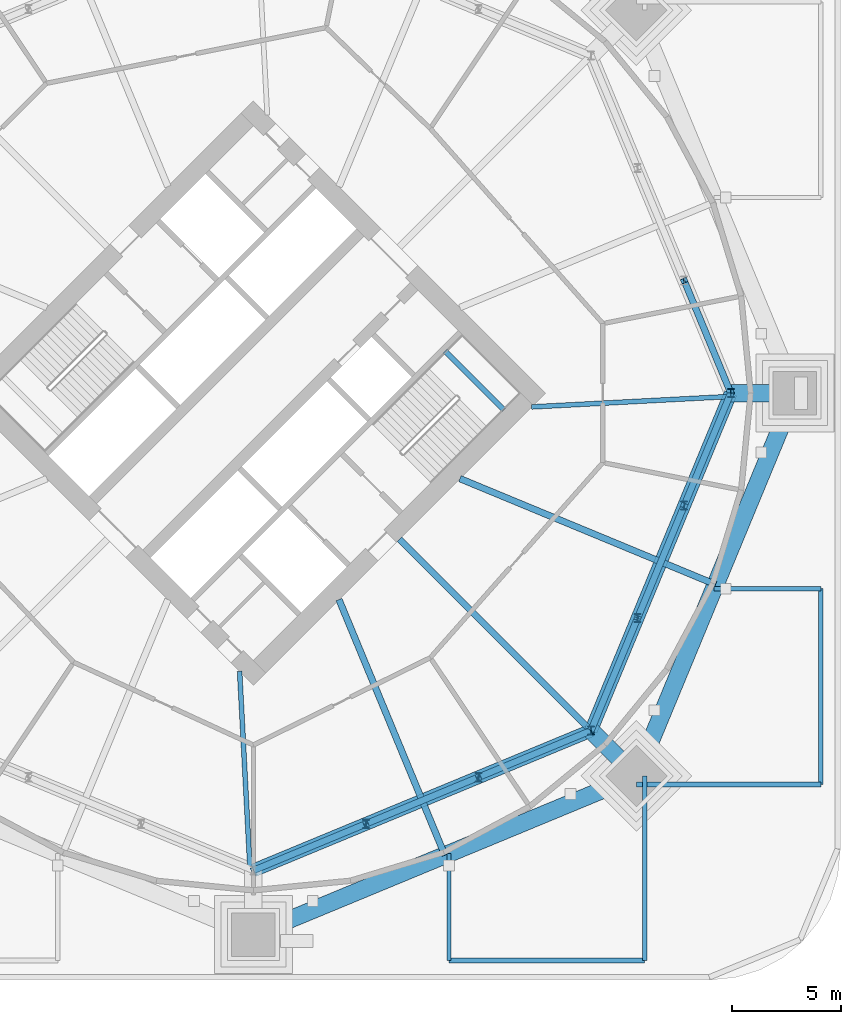
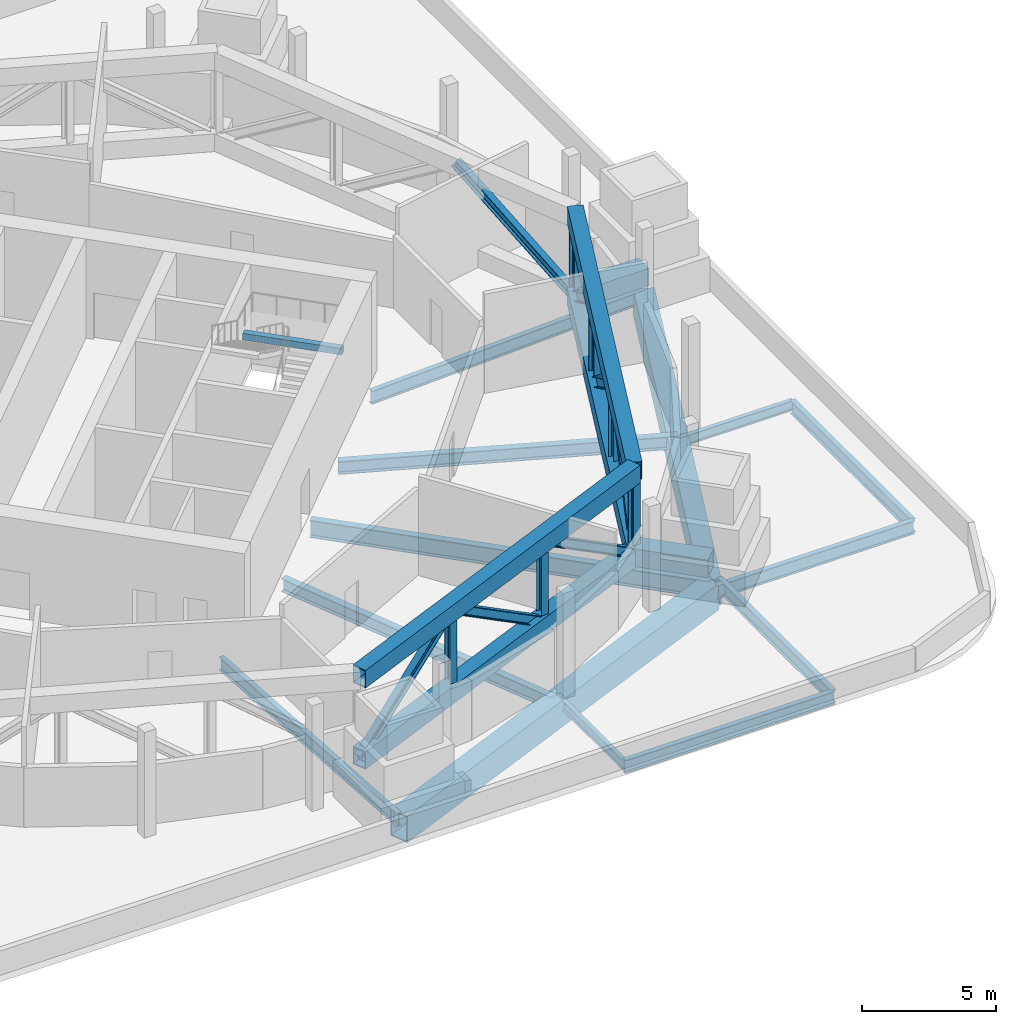
# One storey, part 7 of 21: 17 members, 16 beams.
"""IFC4 building model written with IfcOpenShell, lengths in metres."""

from ifc_helpers import new_model, si_unit, direction, frame, origin, origin_2d, place, context, subcontext, project, spatial, rectangle, hollow_rectangle, i_section, extrude, material, material_profile, profile_set, type_object, element, save


model = new_model("IFC4")

# Units and contexts
model_context = context("Model", 3, precision=1e-05, world=origin(), true_north=direction((0.0, 1.0)))
body_context = subcontext(model_context, "Body", "Model", "MODEL_VIEW")
ifc_project = project(units=[si_unit("LENGTHUNIT", "METRE"), si_unit("AREAUNIT", "SQUARE_METRE"), si_unit("VOLUMEUNIT", "CUBIC_METRE"), si_unit("PLANEANGLEUNIT", "RADIAN"), si_unit("MASSUNIT", "GRAM", prefix="KILO")], contexts=[model_context])

# Site, building, storey
site_placement = place(None, origin())
site = spatial("IfcSite", under=ifc_project, at=site_placement, CompositionType="ELEMENT")
building_placement = place(site_placement, origin())
building = spatial("IfcBuilding", under=site, at=building_placement, Name="Ogive Gate Towers", CompositionType="ELEMENT")
storey_placement = place(building_placement, frame((0.0, 0.0, 27.60009765625)))
storey = spatial("IfcBuildingStorey", under=building, at=storey_placement, Name="L05", CompositionType="ELEMENT", Elevation=27.60009765625)

# Beams
ifc_material_1 = material(Name="Steel SM460", Category="steel")
ifc_material_profile_1 = material_profile(ifc_material_1, hollow_rectangle(XDim=0.800048828125, YDim=1.199951171875, WallThickness=0.050048828125, at=origin_2d()), Name="BX 1200x800x50")
ifc_profile_set_1 = profile_set([ifc_material_profile_1], Name="Steel SM460")
beam_type_1 = type_object("IfcBeamType", Name="Edge girder BX 1200x800x50", PredefinedType="BEAM", material=ifc_profile_set_1)
for number, where, z_axis, x_axis, name in (
    (1, (36.0, -24.909912109375, -0.900146484375), (0.923880736283, 0.382680526191, 0.0), (-0.382680526191, 0.923880736283, 0.0), "T2/L05/SBM018"),
    (2, (53.614013671875, -17.614013671875, -0.900146484375), (0.382680526191, 0.923880736283, 0.0), (-0.923880736283, 0.382680526191, 0.0), "T2/L05/SBM019"),
):
    element("IfcBeam", number, at=place(storey_placement, frame(where, z_axis=z_axis, x_axis=x_axis)), inside=storey, type_object=beam_type_1, Name=name, PredefinedType="BEAM", context=body_context, shape_type="SweptSolid", body=[
        extrude(hollow_rectangle(XDim=0.800048828125, YDim=1.199951171875, WallThickness=0.050048828125, at=origin_2d()), origin(), (0.0, 0.0, 1.0), 19.065185546875),
    ])
ifc_material_2 = material(Name="Steel SM355", Category="steel")
ifc_material_profile_2 = material_profile(ifc_material_2, i_section(OverallWidth=0.18994140625, OverallDepth=0.449951171875, WebThickness=0.009521484375, FlangeThickness=0.0146484375, FilletRadius=0.02099609375, at=origin_2d()), Name="IPE 450")
ifc_profile_set_2 = profile_set([ifc_material_profile_2], Name="Steel SM355")
beam_type_2 = type_object("IfcBeamType", Name="Floor beam IPE 450", PredefinedType="BEAM", material=ifc_profile_set_2)
for number, where, z_axis, x_axis, name in (
    (3, (45.0, -26.10009765625, -0.525146484375), (0.0, 1.0, 0.0), (-1.0, 0.0, 0.0), "PD/L05/SBM063"),
    (4, (62.10009765625, -9.0, -0.525146484375), (-1.0, 0.0, 0.0), (0.0, -1.0, 0.0), "PD/L05/SBM065"),
):
    element("IfcBeam", number, at=place(storey_placement, frame(where, z_axis=z_axis, x_axis=x_axis)), inside=storey, type_object=beam_type_2, Name=name, PredefinedType="BEAM", context=body_context, shape_type="SweptSolid", body=[
        extrude(i_section(OverallWidth=0.18994140625, OverallDepth=0.449951171875, WebThickness=0.009521484375, FlangeThickness=0.0146484375, FilletRadius=0.02099609375, at=origin_2d()), origin(), (0.0, 0.0, 1.0), 4.91796875),
    ])
ifc_material_profile_3 = material_profile(ifc_material_2, i_section(OverallWidth=0.219970703125, OverallDepth=0.60009765625, WebThickness=0.011962890625, FlangeThickness=0.01904296875, FilletRadius=0.02392578125, at=origin_2d()), Name="IPE 600")
ifc_profile_set_3 = profile_set([ifc_material_profile_3], Name="Steel SM355")
beam_type_3 = type_object("IfcBeamType", Name="Floor beam IPE 600", PredefinedType="BEAM", material=ifc_profile_set_3)
for number, where, z_axis, x_axis, name in (
    (5, (54.0, -26.10009765625, -0.60009765625), (0.0, 1.0, 0.0), (-1.0, 0.0, 0.0), "PD/L05/SBM017"),
    (6, (53.614013671875, -18.0, -0.60009765625), (1.0, 0.0, 0.0), (0.0, 1.0, 0.0), "PD/L05/SBM024"),
):
    element("IfcBeam", number, at=place(storey_placement, frame(where, z_axis=z_axis, x_axis=x_axis)), inside=storey, type_object=beam_type_3, Name=name, PredefinedType="BEAM", context=body_context, shape_type="SweptSolid", body=[
        extrude(i_section(OverallWidth=0.219970703125, OverallDepth=0.60009765625, WebThickness=0.011962890625, FlangeThickness=0.01904296875, FilletRadius=0.02392578125, at=origin_2d()), origin(), (0.0, 0.0, 1.0), 8.486083984375),
    ])
for number, where, z_axis, x_axis, name in (
    (7, (54.0, -26.10009765625, -0.60009765625), (-1.0, 0.0, 0.0), (0.0, -1.0, 0.0), "PD/L05/SBM031"),
    (8, (62.10009765625, -9.0, -0.60009765625), (0.0, -1.0, 0.0), (1.0, 0.0, 0.0), "PD/L05/SBM050"),
):
    element("IfcBeam", number, at=place(storey_placement, frame(where, z_axis=z_axis, x_axis=x_axis)), inside=storey, type_object=beam_type_3, Name=name, PredefinedType="BEAM", context=body_context, shape_type="SweptSolid", body=[
        extrude(i_section(OverallWidth=0.219970703125, OverallDepth=0.60009765625, WebThickness=0.011962890625, FlangeThickness=0.01904296875, FilletRadius=0.02392578125, at=origin_2d()), origin(), (0.0, 0.0, 1.0), 9.0),
    ])
ifc_material_3 = material(Name="Concrete C40/50", Category="concrete")
ifc_material_profile_4 = material_profile(ifc_material_3, rectangle(XDim=0.25, YDim=0.300048828125, at=origin_2d()), Name="RC 250x300")
ifc_profile_set_4 = profile_set([ifc_material_profile_4], Name="Concrete C40/50")
beam_type_4 = type_object("IfcBeamType", Name="Landing bearer RC 250x300", PredefinedType="BEAM", material=ifc_profile_set_4)
beam_1_placement = place(storey_placement, frame((47.527587890625, -0.77587890625, 2.0498046875), z_axis=(-0.707106781187, 0.707106781187, 0.0), x_axis=(-0.707106781187, -0.707106781187, 0.0)))
element("IfcBeam", 9, at=beam_1_placement, inside=storey, type_object=beam_type_4, Name="T2 L05 stair 2 landing bearer 1", PredefinedType="BEAM", context=body_context, shape_type="SweptSolid", body=[
    extrude(rectangle(XDim=0.25, YDim=0.300048828125, at=origin_2d()), origin(), (0.0, 0.0, 1.0), 3.824951171875),
])
ifc_material_profile_5 = material_profile(ifc_material_1, hollow_rectangle(XDim=0.800048828125, YDim=0.800048828125, WallThickness=0.050048828125, at=origin_2d()), Name="BX 800x800x50")
ifc_profile_set_5 = profile_set([ifc_material_profile_5], Name="Steel SM460")
beam_type_5 = type_object("IfcBeamType", Name="Node arm BX 800x800x50", PredefinedType="BEAM", material=ifc_profile_set_5)
for number, where, z_axis, x_axis, name in (
    (10, (57.9599609375, 0.0, 0.449951171875), (1.0, 0.0, 0.0), (0.0, 1.0, 0.0), "T2/L05/SBM025"),
    (11, (51.528076171875, -15.528076171875, 0.449951171875), (0.707106781187, -0.707106781187, 0.0), (0.707106781187, 0.707106781187, 0.0), "T2/L05/SBM032"),
):
    element("IfcBeam", number, at=place(storey_placement, frame(where, z_axis=z_axis, x_axis=x_axis)), inside=storey, type_object=beam_type_5, Name=name, PredefinedType="BEAM", context=body_context, shape_type="SweptSolid", body=[
        extrude(hollow_rectangle(XDim=0.800048828125, YDim=0.800048828125, WallThickness=0.050048828125, at=origin_2d()), origin(), (0.0, 0.0, 1.0), 2.949951171875),
    ])
ifc_material_profile_6 = material_profile(ifc_material_2, i_section(OverallWidth=0.300048828125, OverallDepth=0.590087890625, WebThickness=0.012939453125, FlangeThickness=0.02490234375, FilletRadius=0.027099609375, at=origin_2d()), Name="HE 600 A")
ifc_profile_set_6 = profile_set([ifc_material_profile_6], Name="Steel SM355")
beam_type_6 = type_object("IfcBeamType", Name="Radial floor beam HE 600 A", PredefinedType="BEAM", material=ifc_profile_set_6)
for number, where, z_axis, x_axis, name in (
    (12, (39.93505859375, -9.5, -0.59521484375), (0.382690523214, -0.923876595354, 0.0), (0.923876595354, 0.382690523214, 0.0), "T2/L05/SBM004"),
    (13, (45.5, -3.93505859375, -0.59521484375), (0.923876595354, -0.382690523214, 0.0), (0.382690523214, 0.923876595354, 0.0), "T2/L05/SBM006"),
):
    element("IfcBeam", number, at=place(storey_placement, frame(where, z_axis=z_axis, x_axis=x_axis)), inside=storey, type_object=beam_type_6, Name=name, PredefinedType="BEAM", context=body_context, shape_type="SweptSolid", body=[
        extrude(i_section(OverallWidth=0.300048828125, OverallDepth=0.590087890625, WebThickness=0.012939453125, FlangeThickness=0.02490234375, FilletRadius=0.027099609375, at=origin_2d()), origin(), (0.0, 0.0, 1.0), 12.731201171875),
    ])
ifc_material_profile_7 = material_profile(ifc_material_2, i_section(OverallWidth=0.300048828125, OverallDepth=0.7900390625, WebThickness=0.014892578125, FlangeThickness=0.028076171875, FilletRadius=0.030029296875, at=origin_2d()), Name="HE 800 A")
ifc_profile_set_7 = profile_set([ifc_material_profile_7], Name="Steel SM355")
beam_type_7 = type_object("IfcBeamType", Name="Radial floor beam HE 800 A", PredefinedType="BEAM", material=ifc_profile_set_7)
beam_2_placement = place(storey_placement, frame((42.717529296875, -6.717529296875, -0.695068359375), z_axis=(0.707106781187, -0.707106781187, 0.0), x_axis=(0.707106781187, 0.707106781187, 0.0)))
element("IfcBeam", 14, at=beam_2_placement, inside=storey, type_object=beam_type_7, Name="T2/L05/SBM005", PredefinedType="BEAM", context=body_context, shape_type="SweptSolid", body=[
    extrude(i_section(OverallWidth=0.300048828125, OverallDepth=0.7900390625, WebThickness=0.014892578125, FlangeThickness=0.028076171875, FilletRadius=0.030029296875, at=origin_2d()), origin(), (0.0, 0.0, 1.0), 15.409912109375),
])
ifc_material_profile_8 = material_profile(ifc_material_2, i_section(OverallWidth=0.219970703125, OverallDepth=0.60009765625, WebThickness=0.011962890625, FlangeThickness=0.01904296875, FilletRadius=0.02392578125, at=origin_2d()), Name="IPE 600")
ifc_profile_set_8 = profile_set([ifc_material_profile_8], Name="Steel SM355")
beam_type_8 = type_object("IfcBeamType", Name="Radial floor beam IPE 600", PredefinedType="BEAM", material=ifc_profile_set_8)
for number, where, z_axis, x_axis, name in (
    (15, (35.363525390625, -12.798583984375, -0.60009765625), (0.052479590907, -0.998621996823, 0.0), (0.998621996823, 0.052479590907, 0.0), "T2/L05/SBM003"),
    (16, (48.798583984375, -0.636474609375, -0.60009765625), (0.998621996823, 0.052479590907, 0.0), (-0.052479590907, 0.998621996823, 0.0), "T2/L05/SBM007"),
):
    element("IfcBeam", number, at=place(storey_placement, frame(where, z_axis=z_axis, x_axis=x_axis)), inside=storey, type_object=beam_type_8, Name=name, PredefinedType="BEAM", context=body_context, shape_type="SweptSolid", body=[
        extrude(i_section(OverallWidth=0.219970703125, OverallDepth=0.60009765625, WebThickness=0.011962890625, FlangeThickness=0.01904296875, FilletRadius=0.02392578125, at=origin_2d()), origin(), (0.0, 0.0, 1.0), 12.1279296875),
    ])

# Members
ifc_material_profile_9 = material_profile(ifc_material_1, hollow_rectangle(XDim=0.60009765625, YDim=0.800048828125, WallThickness=0.0400390625, at=origin_2d()), Name="BX 800x600x40")
ifc_profile_set_9 = profile_set([ifc_material_profile_9], Name="Steel SM460")
member_type_1 = type_object("IfcMemberType", Name="Truss chord BX 800x600x40", PredefinedType="CHORD", material=ifc_profile_set_9)
for number, where, z_axis, x_axis, name in (
    (17, (36.0, -21.9599609375, 0.39990234375), (0.923880689089, 0.382680640128, 0.0), (-0.382680640128, 0.923880689089, 0.0), "T2/L05/STR050"),
    (18, (36.0, -21.9599609375, 4.099853515625), (0.923880689089, 0.382680640128, 0.0), (-0.382680640128, 0.923880689089, 0.0), "T2/L05/STR051"),
    (19, (51.528076171875, -15.528076171875, 0.39990234375), (0.382680640128, 0.923880689089, 0.0), (-0.923880689089, 0.382680640128, 0.0), "T2/L05/STR058"),
    (20, (51.528076171875, -15.528076171875, 4.099853515625), (0.382680640128, 0.923880689089, 0.0), (-0.923880689089, 0.382680640128, 0.0), "T2/L05/STR059"),
):
    element("IfcMember", number, at=place(storey_placement, frame(where, z_axis=z_axis, x_axis=x_axis)), inside=storey, type_object=member_type_1, Name=name, PredefinedType="CHORD", context=body_context, shape_type="SweptSolid", body=[
        extrude(hollow_rectangle(XDim=0.60009765625, YDim=0.800048828125, WallThickness=0.0400390625, at=origin_2d()), origin(), (0.0, 0.0, 1.0), 16.807373046875),
    ])
ifc_material_profile_10 = material_profile(ifc_material_1, i_section(OverallWidth=0.300048828125, OverallDepth=0.39990234375, WebThickness=0.013427734375, FlangeThickness=0.02392578125, FilletRadius=0.027099609375, at=origin_2d()), Name="HE 400 B")
ifc_profile_set_10 = profile_set([ifc_material_profile_10], Name="Steel SM460")
member_type_2 = type_object("IfcMemberType", Name="Truss diagonal HE 400 B", PredefinedType="BRACE", material=ifc_profile_set_10)
for number, where, z_axis, x_axis, name in (
    (21, (57.9599609375, 0.0, 0.39990234375), (-0.319339131165, 0.770930189005, 0.551079996904), (-0.92387555344, -0.382693038551, 0.0), "T2/L05/STR003"),
    (22, (36.0, -21.9599609375, 0.39990234375), (0.770930189005, 0.319339131165, 0.551079996904), (-0.382693038551, 0.92387555344, 0.0), "T2/L05/STR052"),
):
    element("IfcMember", number, at=place(storey_placement, frame(where, z_axis=z_axis, x_axis=x_axis)), inside=storey, type_object=member_type_2, Name=name, PredefinedType="BRACE", context=body_context, shape_type="SweptSolid", body=[
        extrude(i_section(OverallWidth=0.300048828125, OverallDepth=0.39990234375, WebThickness=0.013427734375, FlangeThickness=0.02392578125, FilletRadius=0.027099609375, at=origin_2d()), origin(), (0.0, 0.0, 1.0), 6.714111328125),
    ])
member_1_placement = place(storey_placement, frame((41.176025390625, -19.81591796875, 4.099853515625), z_axis=(0.770939140771, 0.319306475879, -0.551086395848), x_axis=(-0.382655842662, 0.923890960058, 0.0)))
element("IfcMember", 23, at=member_1_placement, inside=storey, type_object=member_type_2, Name="T2/L05/STR053", PredefinedType="BRACE", context=body_context, shape_type="SweptSolid", body=[
    extrude(i_section(OverallWidth=0.300048828125, OverallDepth=0.39990234375, WebThickness=0.013427734375, FlangeThickness=0.02392578125, FilletRadius=0.027099609375, at=origin_2d()), origin(), (0.0, 0.0, 1.0), 6.7138671875),
])
for number, where, z_axis, x_axis, name in (
    (24, (46.35205078125, -17.672119140625, 4.099853515625), (0.770930189005, 0.319339131165, -0.551079996904), (-0.382693038551, 0.92387555344, 0.0), "T2/L05/STR054"),
    (25, (51.528076171875, -15.528076171875, 0.39990234375), (0.319339131165, 0.770930189005, 0.551079996904), (-0.92387555344, 0.382693038551, 0.0), "T2/L05/STR060"),
):
    element("IfcMember", number, at=place(storey_placement, frame(where, z_axis=z_axis, x_axis=x_axis)), inside=storey, type_object=member_type_2, Name=name, PredefinedType="BRACE", context=body_context, shape_type="SweptSolid", body=[
        extrude(i_section(OverallWidth=0.300048828125, OverallDepth=0.39990234375, WebThickness=0.013427734375, FlangeThickness=0.02392578125, FilletRadius=0.027099609375, at=origin_2d()), origin(), (0.0, 0.0, 1.0), 6.714111328125),
    ])
member_2_placement = place(storey_placement, frame((53.672119140625, -10.35205078125, 4.099853515625), z_axis=(0.319306475879, 0.770939140771, -0.551086395848), x_axis=(-0.923890960058, 0.382655842662, 0.0)))
element("IfcMember", 26, at=member_2_placement, inside=storey, type_object=member_type_2, Name="T2/L05/STR061", PredefinedType="BRACE", context=body_context, shape_type="SweptSolid", body=[
    extrude(i_section(OverallWidth=0.300048828125, OverallDepth=0.39990234375, WebThickness=0.013427734375, FlangeThickness=0.02392578125, FilletRadius=0.027099609375, at=origin_2d()), origin(), (0.0, 0.0, 1.0), 6.7138671875),
])
member_3_placement = place(storey_placement, frame((55.81591796875, -5.176025390625, 4.099853515625), z_axis=(0.319339131165, 0.770930189005, -0.551079996904), x_axis=(-0.92387555344, 0.382693038551, 0.0)))
element("IfcMember", 27, at=member_3_placement, inside=storey, type_object=member_type_2, Name="T2/L05/STR062", PredefinedType="BRACE", context=body_context, shape_type="SweptSolid", body=[
    extrude(i_section(OverallWidth=0.300048828125, OverallDepth=0.39990234375, WebThickness=0.013427734375, FlangeThickness=0.02392578125, FilletRadius=0.027099609375, at=origin_2d()), origin(), (0.0, 0.0, 1.0), 6.714111328125),
])
ifc_material_profile_11 = material_profile(ifc_material_1, i_section(OverallWidth=0.300048828125, OverallDepth=0.39990234375, WebThickness=0.013427734375, FlangeThickness=0.02392578125, FilletRadius=0.027099609375, at=origin_2d()), Name="HE 400 B")
ifc_profile_set_11 = profile_set([ifc_material_profile_11], Name="Steel SM460")
member_type_3 = type_object("IfcMemberType", Name="Truss post HE 400 B", PredefinedType="POST", material=ifc_profile_set_11)
for number, where, z_axis, x_axis, name in (
    (28, (57.9599609375, 0.0, 0.39990234375), (0.0, 0.0, 1.0), (1.0, 0.0, 0.0), "T2/L05/STR006"),
    (29, (41.176025390625, -19.81591796875, 0.39990234375), (0.0, 0.0, 1.0), (1.0, 0.0, 0.0), "T2/L05/STR055"),
    (30, (46.35205078125, -17.672119140625, 0.39990234375), (0.0, 0.0, 1.0), (1.0, 0.0, 0.0), "T2/L05/STR056"),
    (31, (51.528076171875, -15.528076171875, 0.39990234375), (0.0, 0.0, 1.0), (1.0, 0.0, 0.0), "T2/L05/STR057"),
    (32, (53.672119140625, -10.35205078125, 0.39990234375), (0.0, 0.0, 1.0), (1.0, 0.0, 0.0), "T2/L05/STR063"),
    (33, (55.81591796875, -5.176025390625, 0.39990234375), (0.0, 0.0, 1.0), (1.0, 0.0, 0.0), "T2/L05/STR064"),
):
    element("IfcMember", number, at=place(storey_placement, frame(where, z_axis=z_axis, x_axis=x_axis)), inside=storey, type_object=member_type_3, Name=name, PredefinedType="POST", context=body_context, shape_type="SweptSolid", body=[
        extrude(i_section(OverallWidth=0.300048828125, OverallDepth=0.39990234375, WebThickness=0.013427734375, FlangeThickness=0.02392578125, FilletRadius=0.027099609375, at=origin_2d()), origin(), (0.0, 0.0, 1.0), 3.699951171875),
    ])

save(model, "model.ifc")
